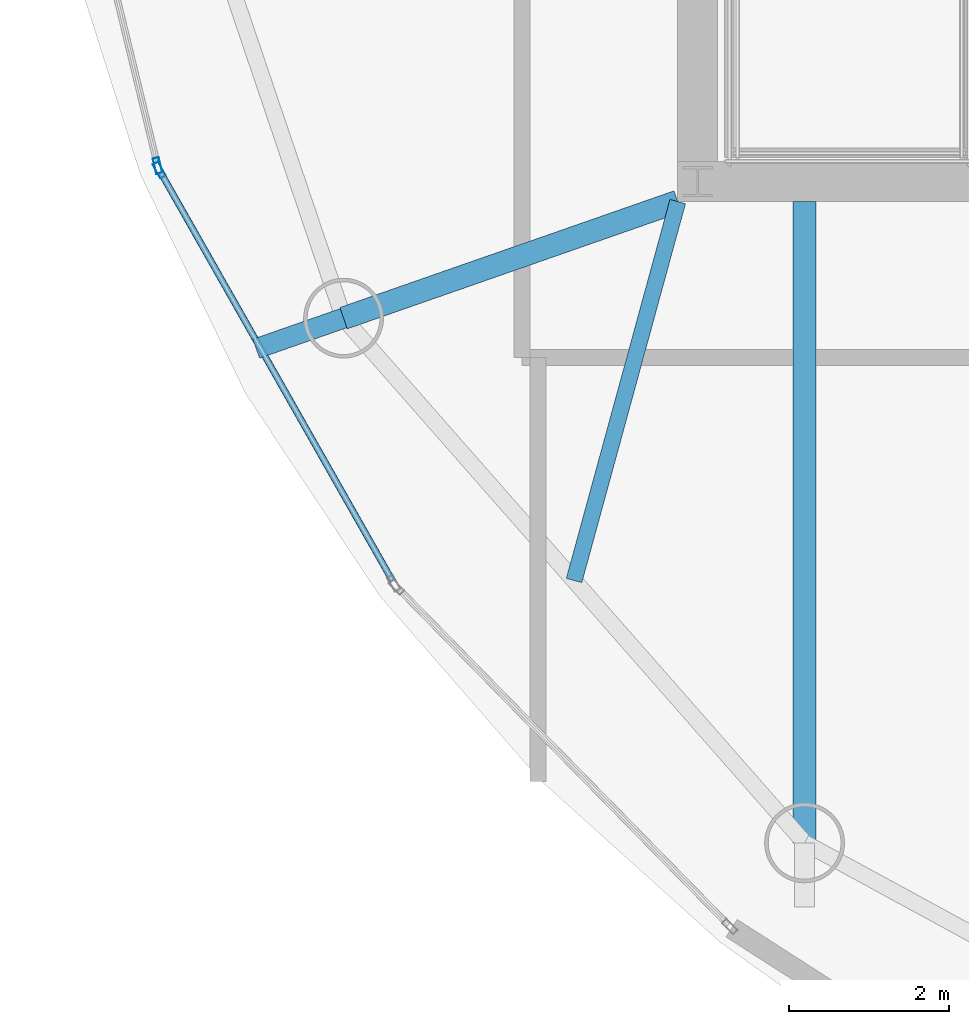
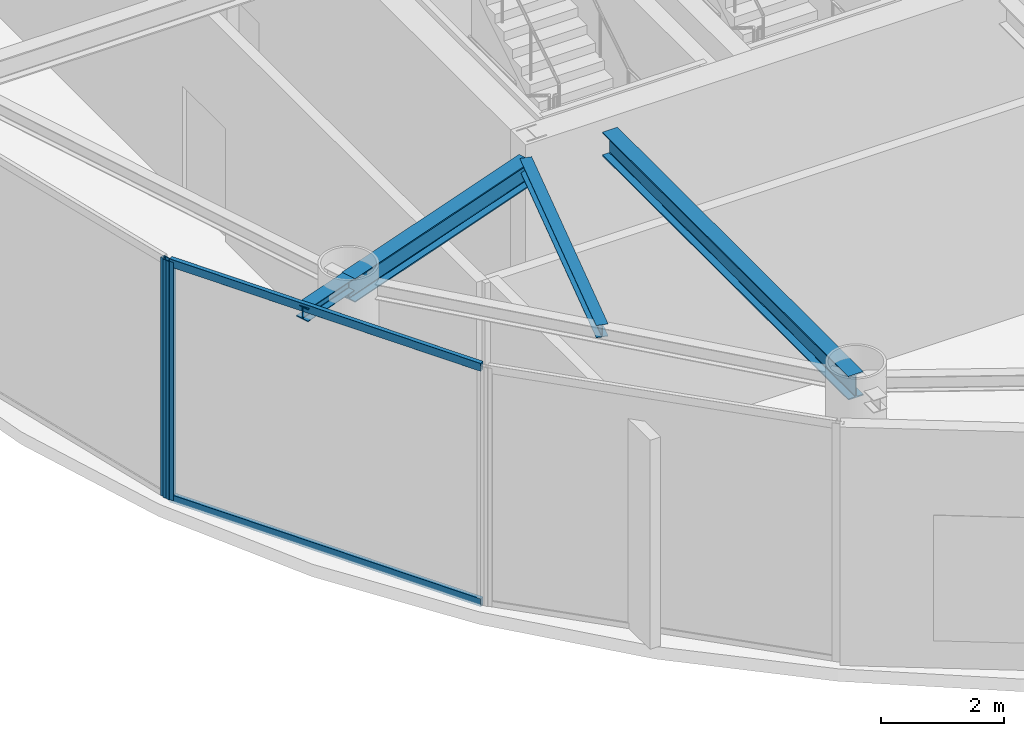
# One storey, part 4 of 23: 4 beams, 4 members, 2 elements without a shape of their own.
"""IFC4 building model written with IfcOpenShell, lengths in metres."""

from ifc_helpers import new_model, si_unit, direction, frame, origin, origin_2d, place, context, subcontext, project, spatial, hollow_rectangle, i_section, extrude, material, layer, layer_set, material_profile, profile_set, type_object, element, aggregate, save


model = new_model("IFC4")

# Units and contexts
model_context = context("Model", 3, precision=1e-05, world=origin(), true_north=direction((0.0, 1.0)))
body_context = subcontext(model_context, "Body", "Model", "MODEL_VIEW")
ifc_project = project(units=[si_unit("LENGTHUNIT", "METRE"), si_unit("AREAUNIT", "SQUARE_METRE"), si_unit("VOLUMEUNIT", "CUBIC_METRE"), si_unit("PLANEANGLEUNIT", "RADIAN"), si_unit("MASSUNIT", "GRAM", prefix="KILO")], contexts=[model_context])

# Site, building, storey
site_placement = place(None, origin())
site = spatial("IfcSite", under=ifc_project, at=site_placement, CompositionType="ELEMENT")
building_placement = place(site_placement, origin())
building = spatial("IfcBuilding", under=site, at=building_placement, Name="Bramvorn Convention Spire", CompositionType="ELEMENT")
storey_placement = place(building_placement, frame((0.0, 0.0, 307.5)))
storey = spatial("IfcBuildingStorey", under=building, at=storey_placement, Name="L78", CompositionType="ELEMENT", Elevation=307.5)

# Beams
ifc_material_1 = material(Name="Steel CSA G40.21 Grade 350 (350W)", Category="steel")
ifc_material_profile_1 = material_profile(ifc_material_1, i_section(OverallWidth=0.201904296875, OverallDepth=0.2470703125, WebThickness=0.00732421875, FlangeThickness=0.010986328125, FilletRadius=0.011962890625, at=origin_2d()))
ifc_profile_set_1 = profile_set([ifc_material_profile_1], Name="Steel CSA G40.21 Grade 350 (350W) - W250X49")
beam_type_1 = type_object("IfcBeamType", Name="BM-W250X49", PredefinedType="JOIST", material=ifc_profile_set_1)
beam_1_placement = place(storey_placement, frame((26.75, 18.550048828125, 4.62646484375), z_axis=(-0.26386506219, -0.96455960363, 0.0), x_axis=(0.96455960363, -0.26386506219, 0.0)))
element("IfcBeam", 1, at=beam_1_placement, inside=storey, type_object=beam_type_1, Name="L78 composite floor joist 13", PredefinedType="JOIST", context=body_context, shape_type="SweptSolid", body=[
    extrude(i_section(OverallWidth=0.201904296875, OverallDepth=0.2470703125, WebThickness=0.00732421875, FlangeThickness=0.010986328125, FilletRadius=0.011962890625, at=origin_2d()), origin(), (0.0, 0.0, 1.0), 4.917724609375),
])
ifc_material_profile_2 = material_profile(ifc_material_1, i_section(OverallWidth=0.25390625, OverallDepth=0.2529296875, WebThickness=0.008544921875, FlangeThickness=0.01416015625, FilletRadius=0.011962890625, at=origin_2d()))
ifc_profile_set_2 = profile_set([ifc_material_profile_2], Name="Steel CSA G40.21 Grade 350 (350W) - W250X73")
beam_type_2 = type_object("IfcBeamType", Name="BM-W250X73", PredefinedType="BEAM", material=ifc_profile_set_2)
beam_2_placement = place(storey_placement, frame((22.5673828125, 17.090087890625, 4.62353515625), z_axis=(-0.944143784709, -0.329533782478, 0.0), x_axis=(0.329533782478, -0.944143784709, 0.0)))
element("IfcBeam", 2, at=beam_2_placement, inside=storey, type_object=beam_type_2, Name="L78 slab-edge cantilever tip beam MC13", PredefinedType="BEAM", context=body_context, shape_type="SweptSolid", body=[
    extrude(i_section(OverallWidth=0.25390625, OverallDepth=0.2529296875, WebThickness=0.008544921875, FlangeThickness=0.01416015625, FilletRadius=0.011962890625, at=origin_2d()), origin(), (0.0, 0.0, 1.0), 1.15869140625),
])
ifc_material_profile_3 = material_profile(ifc_material_1, i_section(OverallWidth=0.283935546875, OverallDepth=0.47607421875, WebThickness=0.014892578125, FlangeThickness=0.02392578125, FilletRadius=0.01806640625, at=origin_2d()))
ifc_profile_set_3 = profile_set([ifc_material_profile_3], Name="Steel CSA G40.21 Grade 350 (350W) - W460X158")
beam_type_3 = type_object("IfcBeamType", Name="BM-W460X158", PredefinedType="SPANDREL", material=ifc_profile_set_3)
beam_3_placement = place(storey_placement, frame((26.75, 18.550048828125, 4.511962890625), z_axis=(-0.944136391877, -0.329554962843, 0.0), x_axis=(0.329554962843, -0.944136391877, 0.0)))
element("IfcBeam", 3, at=beam_3_placement, inside=storey, type_object=beam_type_3, Name="L78 radial floor girder MC13", PredefinedType="SPANDREL", context=body_context, shape_type="SweptSolid", body=[
    extrude(i_section(OverallWidth=0.283935546875, OverallDepth=0.47607421875, WebThickness=0.014892578125, FlangeThickness=0.02392578125, FilletRadius=0.01806640625, at=origin_2d()), origin(), (0.0, 0.0, 1.0), 4.43017578125),
])
beam_4_placement = place(storey_placement, frame((28.337646484375, 18.550048828125, 4.511962890625), z_axis=(0.0, -1.0, 0.0), x_axis=(1.0, 0.0, 0.0)))
element("IfcBeam", 4, at=beam_4_placement, inside=storey, type_object=beam_type_3, Name="L78 radial floor girder MC14", PredefinedType="SPANDREL", context=body_context, shape_type="SweptSolid", body=[
    extrude(i_section(OverallWidth=0.283935546875, OverallDepth=0.47607421875, WebThickness=0.014892578125, FlangeThickness=0.02392578125, FilletRadius=0.01806640625, at=origin_2d()), origin(), (0.0, 0.0, 1.0), 8.02685546875),
])

# Curtain wall, member
ifc_material_2 = material(Name="Anodised Bronze Unitised Curtain Wall", Category="aluminium")
ifc_layer = layer(ifc_material_2, 0.199951171875)
ifc_layer_set = layer_set([ifc_layer], Name="Anodised Bronze Unitised Curtain Wall - CW-PLANT-LOUVRE")
curtain_wall_type = type_object("IfcCurtainWallType", Name="CW-PLANT-LOUVRE", PredefinedType="USERDEFINED", material=ifc_layer_set)
curtain_wall_1_placement = place(storey_placement, origin())
curtain_wall_1 = element("IfcCurtainWall", 5, at=curtain_wall_1_placement, inside=storey, type_object=curtain_wall_type, Name="L78 fritted glass curtain wall 18", ObjectType="UNITISED CURTAIN WALL", PredefinedType="USERDEFINED")
ifc_material_3 = material(Name="Anodised Bronze Aluminium 6063-T6", Category="aluminium")
ifc_material_profile_4 = material_profile(ifc_material_3, hollow_rectangle(XDim=0.080078125, YDim=0.199951171875, WallThickness=0.00390625, InnerFilletRadius=0.0009765625, OuterFilletRadius=0.00390625, at=origin_2d()))
ifc_profile_set_4 = profile_set([ifc_material_profile_4], Name="Anodised Bronze Aluminium 6063-T6 - CWM80X200")
member_type_1 = type_object("IfcMemberType", Name="CW-MUL-180", PredefinedType="MULLION", material=ifc_profile_set_4)
member_1_placement = place(storey_placement, frame((20.239501953125, 19.0, 0.0), z_axis=(0.0, 0.0, 1.0), x_axis=(-0.971873206658, -0.235504713711, 0.0)))
member_1 = element("IfcMember", 6, at=member_1_placement, type_object=member_type_1, Name="CW5 mullion 1", PredefinedType="MULLION", context=body_context, shape_type="SweptSolid", body=[
    extrude(hollow_rectangle(XDim=0.080078125, YDim=0.199951171875, WallThickness=0.00390625, InnerFilletRadius=0.0009765625, OuterFilletRadius=0.00390625, at=origin_2d()), origin(), (0.0, 0.0, 1.0), 4.75),
])
aggregate(curtain_wall_1, [member_1])

# Curtain wall, members
curtain_wall_2_placement = place(storey_placement, origin())
curtain_wall_2 = element("IfcCurtainWall", 7, at=curtain_wall_2_placement, inside=storey, type_object=curtain_wall_type, Name="L78 fritted glass curtain wall 19", ObjectType="UNITISED CURTAIN WALL", PredefinedType="USERDEFINED")
member_2_placement = place(storey_placement, frame((20.26123046875, 18.94482421875, 0.0), z_axis=(0.0, 0.0, 1.0), x_axis=(-0.869676062706, -0.493622878275, 0.0)))
member_2 = element("IfcMember", 8, at=member_2_placement, type_object=member_type_1, Name="CW5 mullion 2", PredefinedType="MULLION", context=body_context, shape_type="SweptSolid", body=[
    extrude(hollow_rectangle(XDim=0.080078125, YDim=0.199951171875, WallThickness=0.00390625, InnerFilletRadius=0.0009765625, OuterFilletRadius=0.00390625, at=origin_2d()), origin(), (0.0, 0.0, 1.0), 4.75),
])
ifc_material_profile_5 = material_profile(ifc_material_3, hollow_rectangle(XDim=0.080078125, YDim=0.159912109375, WallThickness=0.00390625, InnerFilletRadius=0.0009765625, OuterFilletRadius=0.00390625, at=origin_2d()))
ifc_profile_set_5 = profile_set([ifc_material_profile_5], Name="Anodised Bronze Aluminium 6063-T6 - CWT80X160")
member_type_2 = type_object("IfcMemberType", Name="CW-TRN-150", PredefinedType="USERDEFINED", material=ifc_profile_set_5)
member_3_placement = place(storey_placement, frame((23.181396484375, 13.800048828125, 0.030029296875), z_axis=(-0.493617390614, 0.869679177446, 0.0), x_axis=(-0.869679177446, -0.493617390614, 0.0)))
member_3 = element("IfcMember", 9, at=member_3_placement, type_object=member_type_2, Name="CW5 transom 1.1", ObjectType="TRANSOM", PredefinedType="USERDEFINED", context=body_context, shape_type="SweptSolid", body=[
    extrude(hollow_rectangle(XDim=0.080078125, YDim=0.159912109375, WallThickness=0.00390625, InnerFilletRadius=0.0009765625, OuterFilletRadius=0.00390625, at=origin_2d()), origin(), (0.0, 0.0, 1.0), 5.8857421875),
])
member_4_placement = place(storey_placement, frame((23.181396484375, 13.800048828125, 4.719970703125), z_axis=(-0.493617390614, 0.869679177446, 0.0), x_axis=(-0.869679177446, -0.493617390614, 0.0)))
member_4 = element("IfcMember", 10, at=member_4_placement, type_object=member_type_2, Name="CW5 transom 1.2", ObjectType="TRANSOM", PredefinedType="USERDEFINED", context=body_context, shape_type="SweptSolid", body=[
    extrude(hollow_rectangle(XDim=0.080078125, YDim=0.159912109375, WallThickness=0.00390625, InnerFilletRadius=0.0009765625, OuterFilletRadius=0.00390625, at=origin_2d()), origin(), (0.0, 0.0, 1.0), 5.8857421875),
])
aggregate(curtain_wall_2, [member_2, member_3, member_4])

save(model, "model.ifc")
